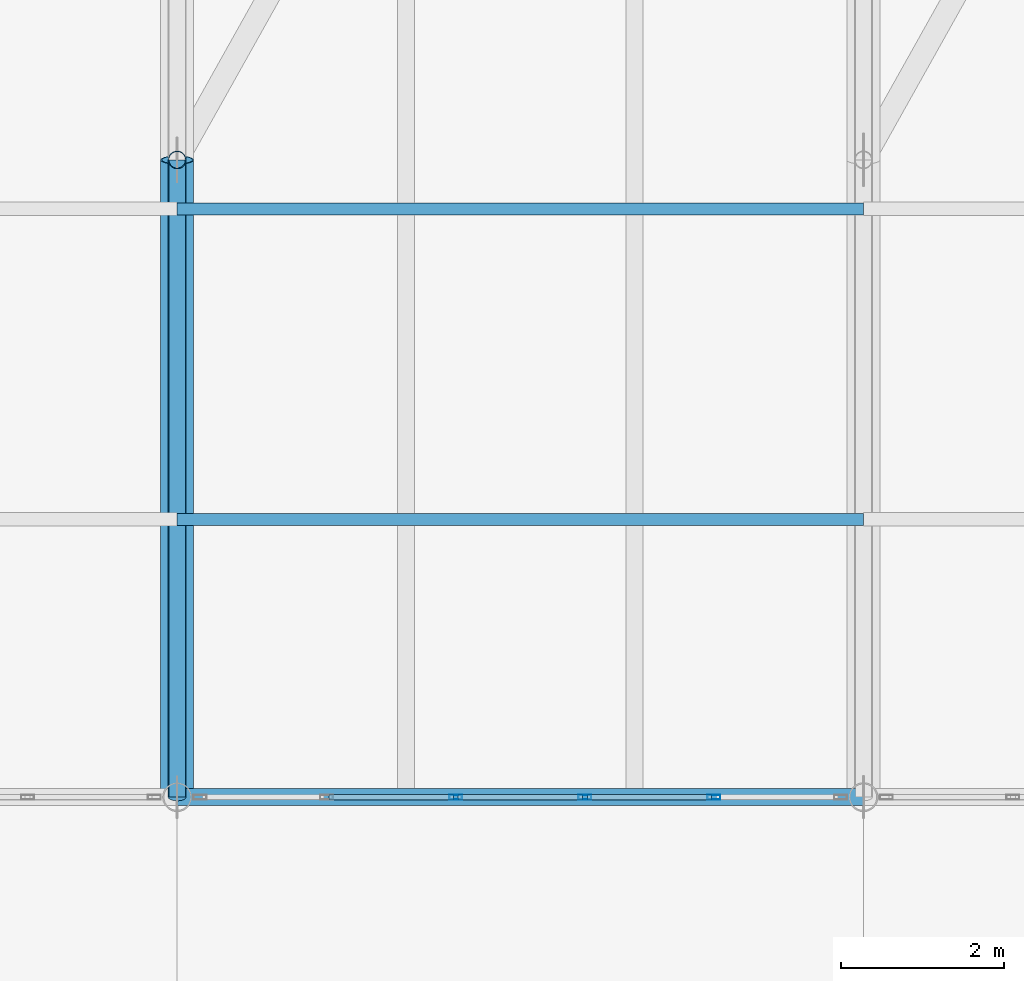
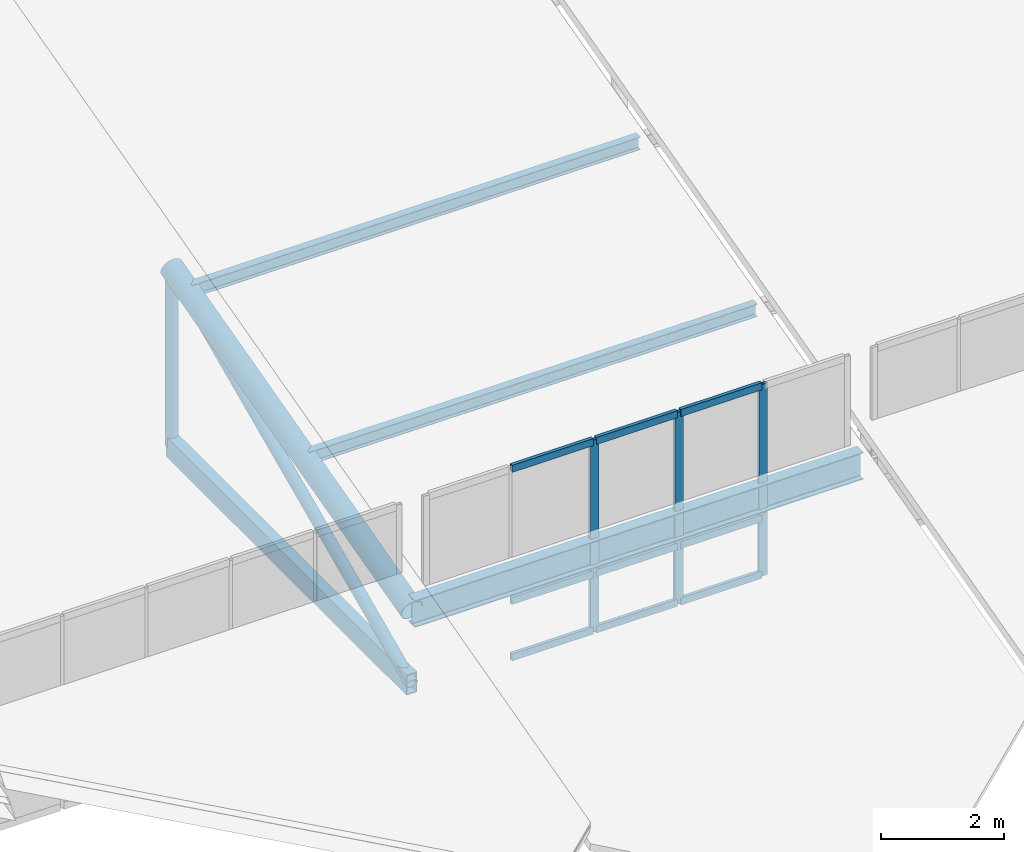
# One storey, part 10 of 43: 18 members, 1 beam, 1 element without a shape of its own.
"""IFC4 building model written with IfcOpenShell, lengths in metres."""

from ifc_helpers import new_model, si_unit, direction, frame, origin, origin_2d, place, context, subcontext, project, spatial, hollow_rectangle, hollow_circle, i_section, extrude, material, layer, layer_set, material_profile, profile_set, type_object, element, aggregate, save


model = new_model("IFC4")

# Units and contexts
model_context = context("Model", 3, precision=1e-05, world=origin(), true_north=direction((0.0, 1.0)))
body_context = subcontext(model_context, "Body", "Model", "MODEL_VIEW")
ifc_project = project(units=[si_unit("LENGTHUNIT", "METRE"), si_unit("AREAUNIT", "SQUARE_METRE"), si_unit("VOLUMEUNIT", "CUBIC_METRE"), si_unit("PLANEANGLEUNIT", "RADIAN"), si_unit("MASSUNIT", "GRAM", prefix="KILO")], contexts=[model_context])

# Site, building, storey
site_placement = place(None, origin())
site = spatial("IfcSite", under=ifc_project, at=site_placement, CompositionType="ELEMENT")
building_placement = place(site_placement, origin())
building = spatial("IfcBuilding", under=site, at=building_placement, Name="Selat Folded Stagehouse", CompositionType="ELEMENT")
storey_placement = place(building_placement, frame((0.0, 0.0, 32.39990234375)))
storey = spatial("IfcBuildingStorey", under=building, at=storey_placement, Name="RF", CompositionType="ELEMENT", Elevation=32.39990234375)

# Beam
ifc_material_1 = material(Name="Steel S355", Category="steel")
ifc_material_profile_1 = material_profile(ifc_material_1, i_section(OverallWidth=0.209228515625, OverallDepth=0.533203125, WebThickness=0.010009765625, FlangeThickness=0.015625, FilletRadius=0.0126953125, at=origin_2d()), Name="UKB 533x210x92")
ifc_profile_set_1 = profile_set([ifc_material_profile_1], Name="Steel S355")
beam_type = type_object("IfcBeamType", Name="BM-GIRD-533x210x92", PredefinedType="BEAM", material=ifc_profile_set_1)
beam_placement = place(storey_placement, frame((33.60009765625, 23.39990234375, 1.586181640625), z_axis=(1.0, 0.0, 0.0), x_axis=(0.0, 1.0, 0.0)))
element("IfcBeam", 1, at=beam_placement, inside=storey, type_object=beam_type, Name="RF bay 4 S roof bearer beam", PredefinedType="BEAM", context=body_context, shape_type="SweptSolid", body=[
    extrude(i_section(OverallWidth=0.209228515625, OverallDepth=0.533203125, WebThickness=0.010009765625, FlangeThickness=0.015625, FilletRadius=0.0126953125, at=origin_2d()), origin(), (0.0, 0.0, 1.0), 8.39990234375),
])

# Curtain wall, members
ifc_material_2 = material(Name="Aluminium 6063-T6", Category="aluminium")
ifc_layer = layer(ifc_material_2, 0.169921875)
ifc_layer_set = layer_set([ifc_layer], Name="Aluminium 6063-T6")
curtain_wall_type = type_object("IfcCurtainWallType", Name="CW-CRN-CLER", PredefinedType="NOTDEFINED", material=ifc_layer_set)
curtain_wall_placement = place(storey_placement, origin())
curtain_wall = element("IfcCurtainWall", 2, at=curtain_wall_placement, inside=storey, type_object=curtain_wall_type, Name="RF curtain wall CW-RF-S-03", PredefinedType="NOTDEFINED")
ifc_material_profile_2 = material_profile(ifc_material_2, hollow_rectangle(XDim=0.06005859375, YDim=0.159912109375, WallThickness=0.00390625, at=origin_2d()), Name="ALU 160x60x4.0")
ifc_profile_set_2 = profile_set([ifc_material_profile_2], Name="Aluminium 6063-T6")
member_type_1 = type_object("IfcMemberType", Name="CWM-MUL-160x60", PredefinedType="MULLION", material=ifc_profile_set_2)
member_1_placement = place(storey_placement, frame((40.169921875, 23.39990234375, 0.0), z_axis=(0.0, 0.0, 1.0), x_axis=(0.0, -1.0, 0.0)))
member_1 = element("IfcMember", 3, at=member_1_placement, type_object=member_type_1, Name="CW-09 mullion 2", PredefinedType="MULLION", context=body_context, shape_type="SweptSolid", body=[
    extrude(hollow_rectangle(XDim=0.06005859375, YDim=0.159912109375, WallThickness=0.00390625, at=origin_2d()), origin(), (0.0, 0.0, 1.0), 3.800048828125),
])
member_2_placement = place(storey_placement, frame((38.590087890625, 23.39990234375, 0.0), z_axis=(0.0, 0.0, 1.0), x_axis=(0.0, -1.0, 0.0)))
member_2 = element("IfcMember", 4, at=member_2_placement, type_object=member_type_1, Name="CW-09 mullion 3", PredefinedType="MULLION", context=body_context, shape_type="SweptSolid", body=[
    extrude(hollow_rectangle(XDim=0.06005859375, YDim=0.159912109375, WallThickness=0.00390625, at=origin_2d()), origin(), (0.0, 0.0, 1.0), 3.800048828125),
])
member_3_placement = place(storey_placement, frame((37.010009765625, 23.39990234375, 0.0), z_axis=(0.0, 0.0, 1.0), x_axis=(0.0, -1.0, 0.0)))
member_3 = element("IfcMember", 5, at=member_3_placement, type_object=member_type_1, Name="CW-09 mullion 4", PredefinedType="MULLION", context=body_context, shape_type="SweptSolid", body=[
    extrude(hollow_rectangle(XDim=0.06005859375, YDim=0.159912109375, WallThickness=0.00390625, at=origin_2d()), origin(), (0.0, 0.0, 1.0), 3.800048828125),
])
ifc_material_profile_3 = material_profile(ifc_material_2, hollow_rectangle(XDim=0.06494140625, YDim=0.139892578125, WallThickness=0.00390625, at=origin_2d()), Name="ALU 140x65x4.0")
ifc_profile_set_3 = profile_set([ifc_material_profile_3], Name="Aluminium 6063-T6")
member_type_2 = type_object("IfcMemberType", Name="CWM-TRN-140x65", PredefinedType="USERDEFINED", material=ifc_profile_set_3)
member_4_placement = place(storey_placement, frame((40.139892578125, 23.39990234375, 0.03271484375), z_axis=(-1.0, 0.0, 0.0), x_axis=(0.0, -1.0, 0.0)))
member_4 = element("IfcMember", 6, at=member_4_placement, type_object=member_type_2, Name="CW-09 transom 2.1", ObjectType="TRANSOM", PredefinedType="USERDEFINED", context=body_context, shape_type="SweptSolid", body=[
    extrude(hollow_rectangle(XDim=0.06494140625, YDim=0.139892578125, WallThickness=0.00390625, at=origin_2d()), origin(), (0.0, 0.0, 1.0), 1.519775390625),
])
member_5_placement = place(storey_placement, frame((40.139892578125, 23.39990234375, 1.150146484375), z_axis=(-1.0, 0.0, 0.0), x_axis=(0.0, -1.0, 0.0)))
member_5 = element("IfcMember", 7, at=member_5_placement, type_object=member_type_2, Name="CW-09 transom 2.2", ObjectType="TRANSOM", PredefinedType="USERDEFINED", context=body_context, shape_type="SweptSolid", body=[
    extrude(hollow_rectangle(XDim=0.06494140625, YDim=0.139892578125, WallThickness=0.00390625, at=origin_2d()), origin(), (0.0, 0.0, 1.0), 1.519775390625),
])
member_6_placement = place(storey_placement, frame((40.139892578125, 23.39990234375, 3.767578125), z_axis=(-1.0, 0.0, 0.0), x_axis=(0.0, -1.0, 0.0)))
member_6 = element("IfcMember", 8, at=member_6_placement, type_object=member_type_2, Name="CW-09 transom 2.3", ObjectType="TRANSOM", PredefinedType="USERDEFINED", context=body_context, shape_type="SweptSolid", body=[
    extrude(hollow_rectangle(XDim=0.06494140625, YDim=0.139892578125, WallThickness=0.00390625, at=origin_2d()), origin(), (0.0, 0.0, 1.0), 1.519775390625),
])
member_7_placement = place(storey_placement, frame((38.56005859375, 23.39990234375, 0.03271484375), z_axis=(-1.0, 0.0, 0.0), x_axis=(0.0, -1.0, 0.0)))
member_7 = element("IfcMember", 9, at=member_7_placement, type_object=member_type_2, Name="CW-09 transom 3.1", ObjectType="TRANSOM", PredefinedType="USERDEFINED", context=body_context, shape_type="SweptSolid", body=[
    extrude(hollow_rectangle(XDim=0.06494140625, YDim=0.139892578125, WallThickness=0.00390625, at=origin_2d()), origin(), (0.0, 0.0, 1.0), 1.52001953125),
])
member_8_placement = place(storey_placement, frame((38.56005859375, 23.39990234375, 1.150146484375), z_axis=(-1.0, 0.0, 0.0), x_axis=(0.0, -1.0, 0.0)))
member_8 = element("IfcMember", 10, at=member_8_placement, type_object=member_type_2, Name="CW-09 transom 3.2", ObjectType="TRANSOM", PredefinedType="USERDEFINED", context=body_context, shape_type="SweptSolid", body=[
    extrude(hollow_rectangle(XDim=0.06494140625, YDim=0.139892578125, WallThickness=0.00390625, at=origin_2d()), origin(), (0.0, 0.0, 1.0), 1.52001953125),
])
member_9_placement = place(storey_placement, frame((38.56005859375, 23.39990234375, 3.767578125), z_axis=(-1.0, 0.0, 0.0), x_axis=(0.0, -1.0, 0.0)))
member_9 = element("IfcMember", 11, at=member_9_placement, type_object=member_type_2, Name="CW-09 transom 3.3", ObjectType="TRANSOM", PredefinedType="USERDEFINED", context=body_context, shape_type="SweptSolid", body=[
    extrude(hollow_rectangle(XDim=0.06494140625, YDim=0.139892578125, WallThickness=0.00390625, at=origin_2d()), origin(), (0.0, 0.0, 1.0), 1.52001953125),
])
member_10_placement = place(storey_placement, frame((36.97998046875, 23.39990234375, 0.03271484375), z_axis=(-1.0, 0.0, 0.0), x_axis=(0.0, -1.0, 0.0)))
member_10 = element("IfcMember", 12, at=member_10_placement, type_object=member_type_2, Name="CW-09 transom 4.1", ObjectType="TRANSOM", PredefinedType="USERDEFINED", context=body_context, shape_type="SweptSolid", body=[
    extrude(hollow_rectangle(XDim=0.06494140625, YDim=0.139892578125, WallThickness=0.00390625, at=origin_2d()), origin(), (0.0, 0.0, 1.0), 1.52001953125),
])
member_11_placement = place(storey_placement, frame((36.97998046875, 23.39990234375, 1.150146484375), z_axis=(-1.0, 0.0, 0.0), x_axis=(0.0, -1.0, 0.0)))
member_11 = element("IfcMember", 13, at=member_11_placement, type_object=member_type_2, Name="CW-09 transom 4.2", ObjectType="TRANSOM", PredefinedType="USERDEFINED", context=body_context, shape_type="SweptSolid", body=[
    extrude(hollow_rectangle(XDim=0.06494140625, YDim=0.139892578125, WallThickness=0.00390625, at=origin_2d()), origin(), (0.0, 0.0, 1.0), 1.52001953125),
])
member_12_placement = place(storey_placement, frame((36.97998046875, 23.39990234375, 3.767578125), z_axis=(-1.0, 0.0, 0.0), x_axis=(0.0, -1.0, 0.0)))
member_12 = element("IfcMember", 14, at=member_12_placement, type_object=member_type_2, Name="CW-09 transom 4.3", ObjectType="TRANSOM", PredefinedType="USERDEFINED", context=body_context, shape_type="SweptSolid", body=[
    extrude(hollow_rectangle(XDim=0.06494140625, YDim=0.139892578125, WallThickness=0.00390625, at=origin_2d()), origin(), (0.0, 0.0, 1.0), 1.52001953125),
])
aggregate(curtain_wall, [member_1, member_2, member_3, member_4, member_5, member_6, member_7, member_8, member_9, member_10, member_11, member_12])

# Members
ifc_material_profile_4 = material_profile(ifc_material_1, hollow_circle(Radius=0.109619140625, WallThickness=0.010009765625, at=origin_2d()), Name="CHS 219.1x10.0")
ifc_profile_set_4 = profile_set([ifc_material_profile_4], Name="Steel S355")
member_type_3 = type_object("IfcMemberType", Name="MEM-BRACE-CHS219", PredefinedType="BRACE", material=ifc_profile_set_4)
member_13_placement = place(storey_placement, frame((33.60009765625, 23.39990234375, 0.150146484375), z_axis=(0.0, 0.91168696029, 0.410885490664), x_axis=(-1.0, 0.0, 0.0)))
element("IfcMember", 15, at=member_13_placement, inside=storey, type_object=member_type_3, Name="Folded-plate web diagonal 4.1", PredefinedType="BRACE", context=body_context, shape_type="SweptSolid", body=[
    extrude(hollow_circle(Radius=0.109619140625, WallThickness=0.010009765625, at=origin_2d()), origin(), (0.0, 0.0, 1.0), 8.5556640625),
])
ifc_material_profile_5 = material_profile(ifc_material_1, hollow_circle(Radius=0.203125, WallThickness=0.01611328125, at=origin_2d()), Name="CHS 406.4x16.0")
ifc_profile_set_5 = profile_set([ifc_material_profile_5], Name="Steel S355")
member_type_4 = type_object("IfcMemberType", Name="MEM-CHORD-CHS406", PredefinedType="CHORD", material=ifc_profile_set_5)
member_14_placement = place(storey_placement, frame((33.60009765625, 23.39990234375, 1.605224609375), z_axis=(0.0, 0.966840500881, 0.255380981781), x_axis=(-1.0, 0.0, 0.0)))
element("IfcMember", 16, at=member_14_placement, inside=storey, type_object=member_type_4, Name="Folded-plate top chord 4.1", PredefinedType="CHORD", context=body_context, shape_type="SweptSolid", body=[
    extrude(hollow_circle(Radius=0.203125, WallThickness=0.01611328125, at=origin_2d()), origin(), (0.0, 0.0, 1.0), 8.067626953125),
])
ifc_material_profile_6 = material_profile(ifc_material_1, hollow_rectangle(XDim=0.199951171875, YDim=0.39990234375, WallThickness=0.012451171875, at=origin_2d()), Name="RHS 400x200x12.5")
ifc_profile_set_6 = profile_set([ifc_material_profile_6], Name="Steel S355")
member_type_5 = type_object("IfcMemberType", Name="MEM-CHORD-RHS400", PredefinedType="CHORD", material=ifc_profile_set_6)
member_15_placement = place(storey_placement, frame((33.60009765625, 23.39990234375, 0.150146484375), z_axis=(0.0, 1.0, 0.0), x_axis=(-1.0, 0.0, 0.0)))
element("IfcMember", 17, at=member_15_placement, inside=storey, type_object=member_type_5, Name="Folded-plate bottom tie 4.1", PredefinedType="CHORD", context=body_context, shape_type="SweptSolid", body=[
    extrude(hollow_rectangle(XDim=0.199951171875, YDim=0.39990234375, WallThickness=0.012451171875, at=origin_2d()), origin(), (0.0, 0.0, 1.0), 7.800048828125),
])
ifc_material_profile_7 = material_profile(ifc_material_1, hollow_circle(Radius=0.109619140625, WallThickness=0.010009765625, at=origin_2d()), Name="CHS 219.1x10.0")
ifc_profile_set_7 = profile_set([ifc_material_profile_7], Name="Steel S355")
member_type_6 = type_object("IfcMemberType", Name="MEM-POST-CHS219", PredefinedType="POST", material=ifc_profile_set_7)
member_16_placement = place(storey_placement, frame((33.60009765625, 31.199951171875, 0.150146484375), z_axis=(0.0, 0.0, 1.0), x_axis=(1.0, 0.0, 0.0)))
element("IfcMember", 18, at=member_16_placement, inside=storey, type_object=member_type_6, Name="Folded-plate truss post 4.1", PredefinedType="POST", context=body_context, shape_type="SweptSolid", body=[
    extrude(hollow_circle(Radius=0.109619140625, WallThickness=0.010009765625, at=origin_2d()), origin(), (0.0, 0.0, 1.0), 3.515380859375),
])
ifc_material_profile_8 = material_profile(ifc_material_1, i_section(OverallWidth=0.14599609375, OverallDepth=0.25146484375, WebThickness=0.006103515625, FlangeThickness=0.008544921875, FilletRadius=0.007568359375, at=origin_2d()), Name="UKB 254x146x31")
ifc_profile_set_8 = profile_set([ifc_material_profile_8], Name="Steel S355")
member_type_7 = type_object("IfcMemberType", Name="MEM-PURLIN-UKB254", PredefinedType="PURLIN", material=ifc_profile_set_8)
for number, where, z_axis, x_axis, name in (
    (19, (33.60009765625, 26.800048828125, 2.58349609375), (1.0, 0.0, 0.0), (0.0, 1.0, 0.0), "Folded-plate roof purlin bay 4.1"),
    (20, (33.60009765625, 30.60009765625, 3.58740234375), (1.0, 0.0, 0.0), (0.0, 1.0, 0.0), "Folded-plate roof purlin bay 4.2"),
):
    element("IfcMember", number, at=place(storey_placement, frame(where, z_axis=z_axis, x_axis=x_axis)), inside=storey, type_object=member_type_7, Name=name, PredefinedType="PURLIN", context=body_context, shape_type="SweptSolid", body=[
        extrude(i_section(OverallWidth=0.14599609375, OverallDepth=0.25146484375, WebThickness=0.006103515625, FlangeThickness=0.008544921875, FilletRadius=0.007568359375, at=origin_2d()), origin(), (0.0, 0.0, 1.0), 8.39990234375),
    ])

save(model, "model.ifc")
